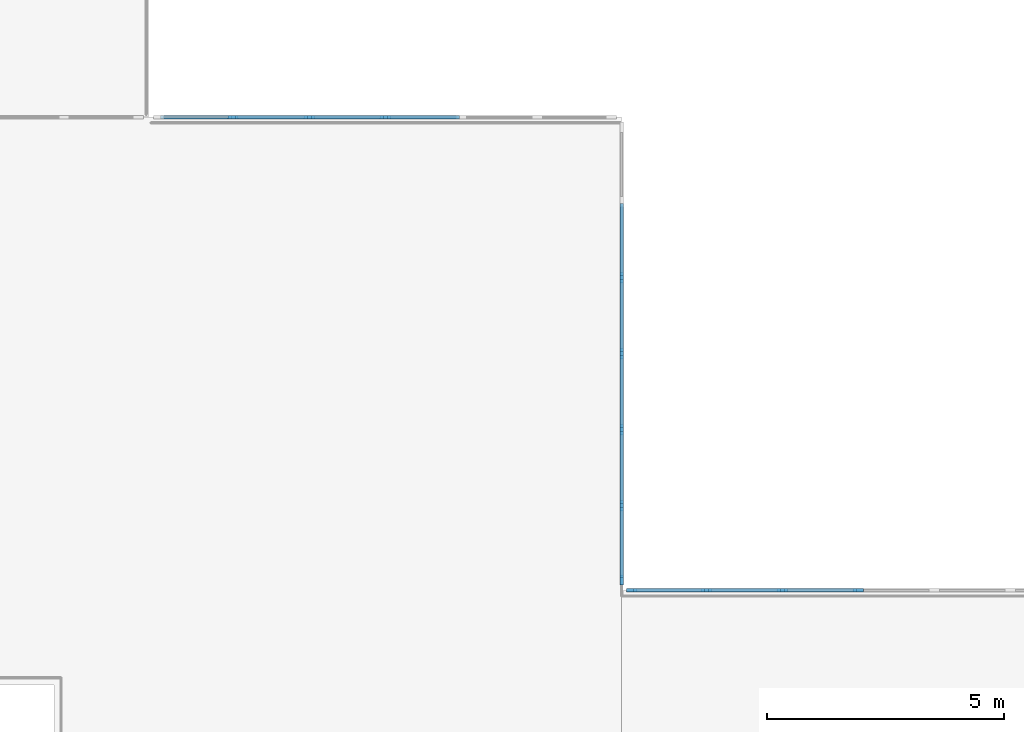
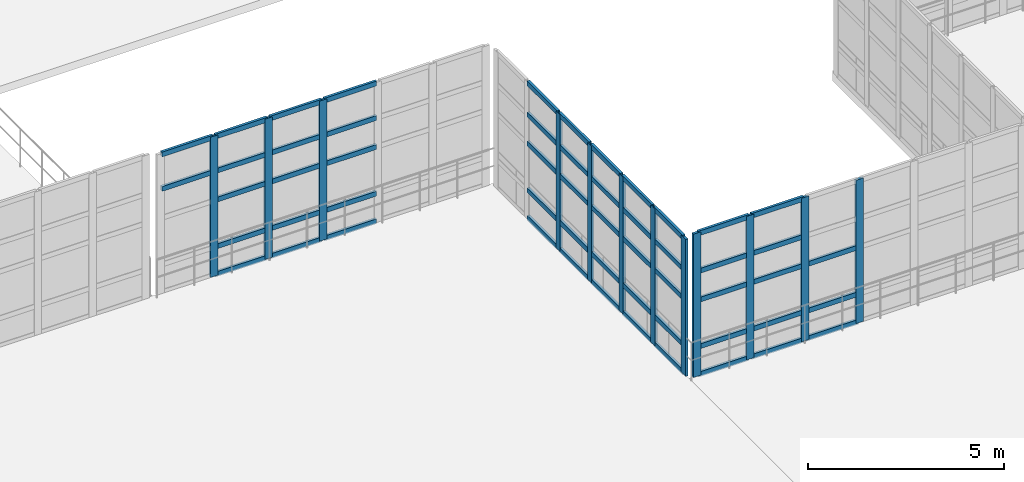
# One storey, part 54 of 139: 67 members, 3 elements without a shape of their own.
"""IFC4 building model written with IfcOpenShell, lengths in metres."""

from ifc_helpers import new_model, si_unit, direction, frame, origin, origin_2d, place, context, subcontext, project, spatial, rectangle, extrude, material, layer, layer_set, material_profile, profile_set, type_object, element, aggregate, save


model = new_model("IFC4")

# Units and contexts
model_context = context("Model", 3, precision=1e-05, world=origin(), true_north=direction((0.0, 1.0)))
body_context = subcontext(model_context, "Body", "Model", "MODEL_VIEW")
ifc_project = project(units=[si_unit("LENGTHUNIT", "METRE"), si_unit("AREAUNIT", "SQUARE_METRE"), si_unit("VOLUMEUNIT", "CUBIC_METRE"), si_unit("PLANEANGLEUNIT", "RADIAN"), si_unit("MASSUNIT", "GRAM", prefix="KILO"), si_unit("THERMODYNAMICTEMPERATUREUNIT", "KELVIN"), si_unit("POWERUNIT", "WATT")], contexts=[model_context])

# Site, building, storey
site_placement = place(None, origin())
site = spatial("IfcSite", under=ifc_project, at=site_placement, CompositionType="ELEMENT")
building_placement = place(site_placement, origin())
building = spatial("IfcBuilding", under=site, at=building_placement, Name="Korenveer Ferry Terminal", CompositionType="ELEMENT")
storey_placement = place(building_placement, frame((0.0, 0.0, 5.39990234375)))
storey = spatial("IfcBuildingStorey", under=building, at=storey_placement, Name="L01", CompositionType="ELEMENT", Elevation=5.39990234375)

# Curtain wall, members
ifc_material_1 = material(Name="Unitised bronze-and-glass curtain wall", Category="glass")
ifc_layer_1 = layer(ifc_material_1, 0.219970703125)
ifc_layer_set_1 = layer_set([ifc_layer_1], Name="Unitised bronze-and-glass curtain wall")
curtain_wall_type_1 = type_object("IfcCurtainWallType", Name="ENV-CW-52", PredefinedType="USERDEFINED", material=ifc_layer_set_1)
curtain_wall_1_placement = place(storey_placement, frame((83.179931640625, 80.0, 0.0)))
curtain_wall_1 = element("IfcCurtainWall", 1, at=curtain_wall_1_placement, inside=storey, type_object=curtain_wall_type_1, Name="Lancet curtain wall CWX-L01-X83-93-Y80-80", ObjectType="UNITISED CURTAIN WALL", PredefinedType="USERDEFINED")
ifc_material_2 = material(Name="Anodised bronze aluminium", Category="aluminium")
ifc_material_profile_1 = material_profile(ifc_material_2, rectangle(XDim=0.074951171875, YDim=0.219970703125, at=origin_2d()), Name="ALU 75x220")
ifc_profile_set_1 = profile_set([ifc_material_profile_1], Name="Anodised bronze aluminium")
member_type_1 = type_object("IfcMemberType", Name="ENV-CWM-75X220", PredefinedType="MULLION", material=ifc_profile_set_1)
member_1_placement = place(storey_placement, frame((83.217529296875, 80.0, 0.0), z_axis=(0.0, 0.0, 1.0), x_axis=(0.0, 1.0, 0.0)))
member_1 = element("IfcMember", 2, at=member_1_placement, type_object=member_type_1, Name="CW-52 mullion 1", PredefinedType="MULLION", context=body_context, shape_type="SweptSolid", body=[
    extrude(rectangle(XDim=0.074951171875, YDim=0.219970703125, at=origin_2d()), origin(), (0.0, 0.0, 1.0), 4.460205078125),
])
member_2_placement = place(storey_placement, frame((84.78662109375, 80.0, 0.0), z_axis=(0.0, 0.0, 1.0), x_axis=(0.0, 1.0, 0.0)))
member_2 = element("IfcMember", 3, at=member_2_placement, type_object=member_type_1, Name="CW-52 mullion 2", PredefinedType="MULLION", context=body_context, shape_type="SweptSolid", body=[
    extrude(rectangle(XDim=0.074951171875, YDim=0.219970703125, at=origin_2d()), origin(), (0.0, 0.0, 1.0), 4.460205078125),
])
member_3_placement = place(storey_placement, frame((86.393310546875, 80.0, 0.0), z_axis=(0.0, 0.0, 1.0), x_axis=(0.0, 1.0, 0.0)))
member_3 = element("IfcMember", 4, at=member_3_placement, type_object=member_type_1, Name="CW-52 mullion 3", PredefinedType="MULLION", context=body_context, shape_type="SweptSolid", body=[
    extrude(rectangle(XDim=0.074951171875, YDim=0.219970703125, at=origin_2d()), origin(), (0.0, 0.0, 1.0), 4.460205078125),
])
member_4_placement = place(storey_placement, frame((88.0, 80.0, 0.0), z_axis=(0.0, 0.0, 1.0), x_axis=(0.0, 1.0, 0.0)))
member_4 = element("IfcMember", 5, at=member_4_placement, type_object=member_type_1, Name="CW-52 mullion 4", PredefinedType="MULLION", context=body_context, shape_type="SweptSolid", body=[
    extrude(rectangle(XDim=0.074951171875, YDim=0.219970703125, at=origin_2d()), origin(), (0.0, 0.0, 1.0), 4.460205078125),
])

ifc_layer_2 = layer(ifc_material_1, 0.219970703125)
ifc_layer_set_2 = layer_set([ifc_layer_2], Name="Unitised bronze-and-glass curtain wall")
curtain_wall_type_2 = type_object("IfcCurtainWallType", Name="ENV-CW-54", PredefinedType="USERDEFINED", material=ifc_layer_set_2)
curtain_wall_2_placement = place(storey_placement, frame((73.179931640625, 90.0, 0.0)))
curtain_wall_2 = element("IfcCurtainWall", 6, at=curtain_wall_2_placement, inside=storey, type_object=curtain_wall_type_2, Name="Lancet curtain wall CWX-L01-X73-83-Y90-90", ObjectType="UNITISED CURTAIN WALL", PredefinedType="USERDEFINED")
member_5_placement = place(storey_placement, frame((74.78662109375, 90.0, 0.0), z_axis=(0.0, 0.0, 1.0), x_axis=(0.0, 1.0, 0.0)))
member_5 = element("IfcMember", 7, at=member_5_placement, type_object=member_type_1, Name="CW-54 mullion 2", PredefinedType="MULLION", context=body_context, shape_type="SweptSolid", body=[
    extrude(rectangle(XDim=0.074951171875, YDim=0.219970703125, at=origin_2d()), origin(), (0.0, 0.0, 1.0), 4.360107421875),
])
member_6_placement = place(storey_placement, frame((76.393310546875, 90.0, 0.0), z_axis=(0.0, 0.0, 1.0), x_axis=(0.0, 1.0, 0.0)))
member_6 = element("IfcMember", 8, at=member_6_placement, type_object=member_type_1, Name="CW-54 mullion 3", PredefinedType="MULLION", context=body_context, shape_type="SweptSolid", body=[
    extrude(rectangle(XDim=0.074951171875, YDim=0.219970703125, at=origin_2d()), origin(), (0.0, 0.0, 1.0), 4.360107421875),
])
member_7_placement = place(storey_placement, frame((78.0, 90.0, 0.0), z_axis=(0.0, 0.0, 1.0), x_axis=(0.0, 1.0, 0.0)))
member_7 = element("IfcMember", 9, at=member_7_placement, type_object=member_type_1, Name="CW-54 mullion 4", PredefinedType="MULLION", context=body_context, shape_type="SweptSolid", body=[
    extrude(rectangle(XDim=0.074951171875, YDim=0.219970703125, at=origin_2d()), origin(), (0.0, 0.0, 1.0), 4.360107421875),
])

ifc_layer_3 = layer(ifc_material_1, 0.219970703125)
ifc_layer_set_3 = layer_set([ifc_layer_3], Name="Unitised bronze-and-glass curtain wall")
curtain_wall_type_3 = type_object("IfcCurtainWallType", Name="ENV-CW-55", PredefinedType="USERDEFINED", material=ifc_layer_set_3)
curtain_wall_3_placement = place(storey_placement, frame((83.0, 89.820068359375, 0.0)))
curtain_wall_3 = element("IfcCurtainWall", 10, at=curtain_wall_3_placement, inside=storey, type_object=curtain_wall_type_3, Name="Lancet curtain wall CWX-L01-X83-83-Y80-90", ObjectType="UNITISED CURTAIN WALL", PredefinedType="USERDEFINED")
member_8_placement = place(storey_placement, frame((83.0, 86.606689453125, 0.0), z_axis=(0.0, 0.0, 1.0), x_axis=(1.0, 0.0, 0.0)))
member_8 = element("IfcMember", 11, at=member_8_placement, type_object=member_type_1, Name="CW-55 mullion 3", PredefinedType="MULLION", context=body_context, shape_type="SweptSolid", body=[
    extrude(rectangle(XDim=0.074951171875, YDim=0.219970703125, at=origin_2d()), origin(), (0.0, 0.0, 1.0), 4.260009765625),
])
member_9_placement = place(storey_placement, frame((83.0, 85.0, 0.0), z_axis=(0.0, 0.0, 1.0), x_axis=(1.0, 0.0, 0.0)))
member_9 = element("IfcMember", 12, at=member_9_placement, type_object=member_type_1, Name="CW-55 mullion 4", PredefinedType="MULLION", context=body_context, shape_type="SweptSolid", body=[
    extrude(rectangle(XDim=0.074951171875, YDim=0.219970703125, at=origin_2d()), origin(), (0.0, 0.0, 1.0), 4.260009765625),
])
member_10_placement = place(storey_placement, frame((83.0, 83.393310546875, 0.0), z_axis=(0.0, 0.0, 1.0), x_axis=(1.0, 0.0, 0.0)))
member_10 = element("IfcMember", 13, at=member_10_placement, type_object=member_type_1, Name="CW-55 mullion 5", PredefinedType="MULLION", context=body_context, shape_type="SweptSolid", body=[
    extrude(rectangle(XDim=0.074951171875, YDim=0.219970703125, at=origin_2d()), origin(), (0.0, 0.0, 1.0), 4.260009765625),
])
member_11_placement = place(storey_placement, frame((83.0, 81.78662109375, 0.0), z_axis=(0.0, 0.0, 1.0), x_axis=(1.0, 0.0, 0.0)))
member_11 = element("IfcMember", 14, at=member_11_placement, type_object=member_type_1, Name="CW-55 mullion 6", PredefinedType="MULLION", context=body_context, shape_type="SweptSolid", body=[
    extrude(rectangle(XDim=0.074951171875, YDim=0.219970703125, at=origin_2d()), origin(), (0.0, 0.0, 1.0), 4.260009765625),
])
member_12_placement = place(storey_placement, frame((83.0, 80.217529296875, 0.0), z_axis=(0.0, 0.0, 1.0), x_axis=(1.0, 0.0, 0.0)))
member_12 = element("IfcMember", 15, at=member_12_placement, type_object=member_type_1, Name="CW-55 mullion 7", PredefinedType="MULLION", context=body_context, shape_type="SweptSolid", body=[
    extrude(rectangle(XDim=0.074951171875, YDim=0.219970703125, at=origin_2d()), origin(), (0.0, 0.0, 1.0), 4.260009765625),
])

# Member
ifc_material_profile_2 = material_profile(ifc_material_2, rectangle(XDim=0.074951171875, YDim=0.14990234375, at=origin_2d()), Name="ALU 75x150")
ifc_profile_set_2 = profile_set([ifc_material_profile_2], Name="Anodised bronze aluminium")
member_type_2 = type_object("IfcMemberType", Name="ENV-CWT-75X150", PredefinedType="USERDEFINED", material=ifc_profile_set_2)
member_13_placement = place(storey_placement, frame((83.2548828125, 80.0, 0.03759765625), z_axis=(1.0, 0.0, 0.0), x_axis=(0.0, 1.0, 0.0)))
member_13 = element("IfcMember", 16, at=member_13_placement, type_object=member_type_2, Name="CW-52 transom 1.1", ObjectType="TRANSOM", PredefinedType="USERDEFINED", context=body_context, shape_type="SweptSolid", body=[
    extrude(rectangle(XDim=0.074951171875, YDim=0.14990234375, at=origin_2d()), origin(), (0.0, 0.0, 1.0), 1.494384765625),
])

member_14_placement = place(storey_placement, frame((83.2548828125, 80.0, 0.900146484375), z_axis=(1.0, 0.0, 0.0), x_axis=(0.0, 1.0, 0.0)))
member_14 = element("IfcMember", 17, at=member_14_placement, type_object=member_type_2, Name="CW-52 transom 1.2", ObjectType="TRANSOM", PredefinedType="USERDEFINED", context=body_context, shape_type="SweptSolid", body=[
    extrude(rectangle(XDim=0.074951171875, YDim=0.14990234375, at=origin_2d()), origin(), (0.0, 0.0, 1.0), 1.494384765625),
])

member_15_placement = place(storey_placement, frame((83.2548828125, 80.0, 2.35009765625), z_axis=(1.0, 0.0, 0.0), x_axis=(0.0, 1.0, 0.0)))
member_15 = element("IfcMember", 18, at=member_15_placement, type_object=member_type_2, Name="CW-52 transom 1.3", ObjectType="TRANSOM", PredefinedType="USERDEFINED", context=body_context, shape_type="SweptSolid", body=[
    extrude(rectangle(XDim=0.074951171875, YDim=0.14990234375, at=origin_2d()), origin(), (0.0, 0.0, 1.0), 1.494384765625),
])

member_16_placement = place(storey_placement, frame((83.2548828125, 80.0, 3.25), z_axis=(1.0, 0.0, 0.0), x_axis=(0.0, 1.0, 0.0)))
member_16 = element("IfcMember", 19, at=member_16_placement, type_object=member_type_2, Name="CW-52 transom 1.4", ObjectType="TRANSOM", PredefinedType="USERDEFINED", context=body_context, shape_type="SweptSolid", body=[
    extrude(rectangle(XDim=0.074951171875, YDim=0.14990234375, at=origin_2d()), origin(), (0.0, 0.0, 1.0), 1.494384765625),
])

member_17_placement = place(storey_placement, frame((83.2548828125, 80.0, 4.422607421875), z_axis=(1.0, 0.0, 0.0), x_axis=(0.0, 1.0, 0.0)))
member_17 = element("IfcMember", 20, at=member_17_placement, type_object=member_type_2, Name="CW-52 transom 1.5", ObjectType="TRANSOM", PredefinedType="USERDEFINED", context=body_context, shape_type="SweptSolid", body=[
    extrude(rectangle(XDim=0.074951171875, YDim=0.14990234375, at=origin_2d()), origin(), (0.0, 0.0, 1.0), 1.494384765625),
])

member_18_placement = place(storey_placement, frame((84.82421875, 80.0, 0.03759765625), z_axis=(1.0, 0.0, 0.0), x_axis=(0.0, 1.0, 0.0)))
member_18 = element("IfcMember", 21, at=member_18_placement, type_object=member_type_2, Name="CW-52 transom 2.1", ObjectType="TRANSOM", PredefinedType="USERDEFINED", context=body_context, shape_type="SweptSolid", body=[
    extrude(rectangle(XDim=0.074951171875, YDim=0.14990234375, at=origin_2d()), origin(), (0.0, 0.0, 1.0), 1.531494140625),
])

member_19_placement = place(storey_placement, frame((84.82421875, 80.0, 0.900146484375), z_axis=(1.0, 0.0, 0.0), x_axis=(0.0, 1.0, 0.0)))
member_19 = element("IfcMember", 22, at=member_19_placement, type_object=member_type_2, Name="CW-52 transom 2.2", ObjectType="TRANSOM", PredefinedType="USERDEFINED", context=body_context, shape_type="SweptSolid", body=[
    extrude(rectangle(XDim=0.074951171875, YDim=0.14990234375, at=origin_2d()), origin(), (0.0, 0.0, 1.0), 1.531494140625),
])

member_20_placement = place(storey_placement, frame((84.82421875, 80.0, 2.35009765625), z_axis=(1.0, 0.0, 0.0), x_axis=(0.0, 1.0, 0.0)))
member_20 = element("IfcMember", 23, at=member_20_placement, type_object=member_type_2, Name="CW-52 transom 2.3", ObjectType="TRANSOM", PredefinedType="USERDEFINED", context=body_context, shape_type="SweptSolid", body=[
    extrude(rectangle(XDim=0.074951171875, YDim=0.14990234375, at=origin_2d()), origin(), (0.0, 0.0, 1.0), 1.531494140625),
])

member_21_placement = place(storey_placement, frame((84.82421875, 80.0, 3.25), z_axis=(1.0, 0.0, 0.0), x_axis=(0.0, 1.0, 0.0)))
member_21 = element("IfcMember", 24, at=member_21_placement, type_object=member_type_2, Name="CW-52 transom 2.4", ObjectType="TRANSOM", PredefinedType="USERDEFINED", context=body_context, shape_type="SweptSolid", body=[
    extrude(rectangle(XDim=0.074951171875, YDim=0.14990234375, at=origin_2d()), origin(), (0.0, 0.0, 1.0), 1.531494140625),
])

member_22_placement = place(storey_placement, frame((84.82421875, 80.0, 4.422607421875), z_axis=(1.0, 0.0, 0.0), x_axis=(0.0, 1.0, 0.0)))
member_22 = element("IfcMember", 25, at=member_22_placement, type_object=member_type_2, Name="CW-52 transom 2.5", ObjectType="TRANSOM", PredefinedType="USERDEFINED", context=body_context, shape_type="SweptSolid", body=[
    extrude(rectangle(XDim=0.074951171875, YDim=0.14990234375, at=origin_2d()), origin(), (0.0, 0.0, 1.0), 1.531494140625),
])

member_23_placement = place(storey_placement, frame((86.430908203125, 80.0, 0.03759765625), z_axis=(1.0, 0.0, 0.0), x_axis=(0.0, 1.0, 0.0)))
member_23 = element("IfcMember", 26, at=member_23_placement, type_object=member_type_2, Name="CW-52 transom 3.1", ObjectType="TRANSOM", PredefinedType="USERDEFINED", context=body_context, shape_type="SweptSolid", body=[
    extrude(rectangle(XDim=0.074951171875, YDim=0.14990234375, at=origin_2d()), origin(), (0.0, 0.0, 1.0), 1.531494140625),
])

member_24_placement = place(storey_placement, frame((86.430908203125, 80.0, 0.900146484375), z_axis=(1.0, 0.0, 0.0), x_axis=(0.0, 1.0, 0.0)))
member_24 = element("IfcMember", 27, at=member_24_placement, type_object=member_type_2, Name="CW-52 transom 3.2", ObjectType="TRANSOM", PredefinedType="USERDEFINED", context=body_context, shape_type="SweptSolid", body=[
    extrude(rectangle(XDim=0.074951171875, YDim=0.14990234375, at=origin_2d()), origin(), (0.0, 0.0, 1.0), 1.531494140625),
])

member_25_placement = place(storey_placement, frame((86.430908203125, 80.0, 2.35009765625), z_axis=(1.0, 0.0, 0.0), x_axis=(0.0, 1.0, 0.0)))
member_25 = element("IfcMember", 28, at=member_25_placement, type_object=member_type_2, Name="CW-52 transom 3.3", ObjectType="TRANSOM", PredefinedType="USERDEFINED", context=body_context, shape_type="SweptSolid", body=[
    extrude(rectangle(XDim=0.074951171875, YDim=0.14990234375, at=origin_2d()), origin(), (0.0, 0.0, 1.0), 1.531494140625),
])

aggregate(curtain_wall_1, [member_1, member_2, member_3, member_4, member_13, member_14, member_15, member_16, member_17, member_18, member_19, member_20, member_21, member_22, member_23, member_24, member_25])

member_26_placement = place(storey_placement, frame((73.2548828125, 90.0, 3.25), z_axis=(1.0, 0.0, 0.0), x_axis=(0.0, 1.0, 0.0)))
member_26 = element("IfcMember", 29, at=member_26_placement, type_object=member_type_2, Name="CW-54 transom 1.4", ObjectType="TRANSOM", PredefinedType="USERDEFINED", context=body_context, shape_type="SweptSolid", body=[
    extrude(rectangle(XDim=0.074951171875, YDim=0.14990234375, at=origin_2d()), origin(), (0.0, 0.0, 1.0), 1.494384765625),
])

member_27_placement = place(storey_placement, frame((73.2548828125, 90.0, 4.322509765625), z_axis=(1.0, 0.0, 0.0), x_axis=(0.0, 1.0, 0.0)))
member_27 = element("IfcMember", 30, at=member_27_placement, type_object=member_type_2, Name="CW-54 transom 1.5", ObjectType="TRANSOM", PredefinedType="USERDEFINED", context=body_context, shape_type="SweptSolid", body=[
    extrude(rectangle(XDim=0.074951171875, YDim=0.14990234375, at=origin_2d()), origin(), (0.0, 0.0, 1.0), 1.494384765625),
])

member_28_placement = place(storey_placement, frame((74.82421875, 90.0, 0.03759765625), z_axis=(1.0, 0.0, 0.0), x_axis=(0.0, 1.0, 0.0)))
member_28 = element("IfcMember", 31, at=member_28_placement, type_object=member_type_2, Name="CW-54 transom 2.1", ObjectType="TRANSOM", PredefinedType="USERDEFINED", context=body_context, shape_type="SweptSolid", body=[
    extrude(rectangle(XDim=0.074951171875, YDim=0.14990234375, at=origin_2d()), origin(), (0.0, 0.0, 1.0), 1.531494140625),
])

member_29_placement = place(storey_placement, frame((74.82421875, 90.0, 0.900146484375), z_axis=(1.0, 0.0, 0.0), x_axis=(0.0, 1.0, 0.0)))
member_29 = element("IfcMember", 32, at=member_29_placement, type_object=member_type_2, Name="CW-54 transom 2.2", ObjectType="TRANSOM", PredefinedType="USERDEFINED", context=body_context, shape_type="SweptSolid", body=[
    extrude(rectangle(XDim=0.074951171875, YDim=0.14990234375, at=origin_2d()), origin(), (0.0, 0.0, 1.0), 1.531494140625),
])

member_30_placement = place(storey_placement, frame((74.82421875, 90.0, 2.35009765625), z_axis=(1.0, 0.0, 0.0), x_axis=(0.0, 1.0, 0.0)))
member_30 = element("IfcMember", 33, at=member_30_placement, type_object=member_type_2, Name="CW-54 transom 2.3", ObjectType="TRANSOM", PredefinedType="USERDEFINED", context=body_context, shape_type="SweptSolid", body=[
    extrude(rectangle(XDim=0.074951171875, YDim=0.14990234375, at=origin_2d()), origin(), (0.0, 0.0, 1.0), 1.531494140625),
])

member_31_placement = place(storey_placement, frame((74.82421875, 90.0, 3.25), z_axis=(1.0, 0.0, 0.0), x_axis=(0.0, 1.0, 0.0)))
member_31 = element("IfcMember", 34, at=member_31_placement, type_object=member_type_2, Name="CW-54 transom 2.4", ObjectType="TRANSOM", PredefinedType="USERDEFINED", context=body_context, shape_type="SweptSolid", body=[
    extrude(rectangle(XDim=0.074951171875, YDim=0.14990234375, at=origin_2d()), origin(), (0.0, 0.0, 1.0), 1.531494140625),
])

member_32_placement = place(storey_placement, frame((74.82421875, 90.0, 4.322509765625), z_axis=(1.0, 0.0, 0.0), x_axis=(0.0, 1.0, 0.0)))
member_32 = element("IfcMember", 35, at=member_32_placement, type_object=member_type_2, Name="CW-54 transom 2.5", ObjectType="TRANSOM", PredefinedType="USERDEFINED", context=body_context, shape_type="SweptSolid", body=[
    extrude(rectangle(XDim=0.074951171875, YDim=0.14990234375, at=origin_2d()), origin(), (0.0, 0.0, 1.0), 1.531494140625),
])

member_33_placement = place(storey_placement, frame((76.430908203125, 90.0, 0.03759765625), z_axis=(1.0, 0.0, 0.0), x_axis=(0.0, 1.0, 0.0)))
member_33 = element("IfcMember", 36, at=member_33_placement, type_object=member_type_2, Name="CW-54 transom 3.1", ObjectType="TRANSOM", PredefinedType="USERDEFINED", context=body_context, shape_type="SweptSolid", body=[
    extrude(rectangle(XDim=0.074951171875, YDim=0.14990234375, at=origin_2d()), origin(), (0.0, 0.0, 1.0), 1.531494140625),
])

member_34_placement = place(storey_placement, frame((76.430908203125, 90.0, 0.900146484375), z_axis=(1.0, 0.0, 0.0), x_axis=(0.0, 1.0, 0.0)))
member_34 = element("IfcMember", 37, at=member_34_placement, type_object=member_type_2, Name="CW-54 transom 3.2", ObjectType="TRANSOM", PredefinedType="USERDEFINED", context=body_context, shape_type="SweptSolid", body=[
    extrude(rectangle(XDim=0.074951171875, YDim=0.14990234375, at=origin_2d()), origin(), (0.0, 0.0, 1.0), 1.531494140625),
])

member_35_placement = place(storey_placement, frame((76.430908203125, 90.0, 2.35009765625), z_axis=(1.0, 0.0, 0.0), x_axis=(0.0, 1.0, 0.0)))
member_35 = element("IfcMember", 38, at=member_35_placement, type_object=member_type_2, Name="CW-54 transom 3.3", ObjectType="TRANSOM", PredefinedType="USERDEFINED", context=body_context, shape_type="SweptSolid", body=[
    extrude(rectangle(XDim=0.074951171875, YDim=0.14990234375, at=origin_2d()), origin(), (0.0, 0.0, 1.0), 1.531494140625),
])

member_36_placement = place(storey_placement, frame((76.430908203125, 90.0, 3.25), z_axis=(1.0, 0.0, 0.0), x_axis=(0.0, 1.0, 0.0)))
member_36 = element("IfcMember", 39, at=member_36_placement, type_object=member_type_2, Name="CW-54 transom 3.4", ObjectType="TRANSOM", PredefinedType="USERDEFINED", context=body_context, shape_type="SweptSolid", body=[
    extrude(rectangle(XDim=0.074951171875, YDim=0.14990234375, at=origin_2d()), origin(), (0.0, 0.0, 1.0), 1.531494140625),
])

member_37_placement = place(storey_placement, frame((76.430908203125, 90.0, 4.322509765625), z_axis=(1.0, 0.0, 0.0), x_axis=(0.0, 1.0, 0.0)))
member_37 = element("IfcMember", 40, at=member_37_placement, type_object=member_type_2, Name="CW-54 transom 3.5", ObjectType="TRANSOM", PredefinedType="USERDEFINED", context=body_context, shape_type="SweptSolid", body=[
    extrude(rectangle(XDim=0.074951171875, YDim=0.14990234375, at=origin_2d()), origin(), (0.0, 0.0, 1.0), 1.531494140625),
])

member_38_placement = place(storey_placement, frame((78.03759765625, 90.0, 0.03759765625), z_axis=(1.0, 0.0, 0.0), x_axis=(0.0, 1.0, 0.0)))
member_38 = element("IfcMember", 41, at=member_38_placement, type_object=member_type_2, Name="CW-54 transom 4.1", ObjectType="TRANSOM", PredefinedType="USERDEFINED", context=body_context, shape_type="SweptSolid", body=[
    extrude(rectangle(XDim=0.074951171875, YDim=0.14990234375, at=origin_2d()), origin(), (0.0, 0.0, 1.0), 1.531494140625),
])

member_39_placement = place(storey_placement, frame((78.03759765625, 90.0, 0.900146484375), z_axis=(1.0, 0.0, 0.0), x_axis=(0.0, 1.0, 0.0)))
member_39 = element("IfcMember", 42, at=member_39_placement, type_object=member_type_2, Name="CW-54 transom 4.2", ObjectType="TRANSOM", PredefinedType="USERDEFINED", context=body_context, shape_type="SweptSolid", body=[
    extrude(rectangle(XDim=0.074951171875, YDim=0.14990234375, at=origin_2d()), origin(), (0.0, 0.0, 1.0), 1.531494140625),
])

member_40_placement = place(storey_placement, frame((78.03759765625, 90.0, 2.35009765625), z_axis=(1.0, 0.0, 0.0), x_axis=(0.0, 1.0, 0.0)))
member_40 = element("IfcMember", 43, at=member_40_placement, type_object=member_type_2, Name="CW-54 transom 4.3", ObjectType="TRANSOM", PredefinedType="USERDEFINED", context=body_context, shape_type="SweptSolid", body=[
    extrude(rectangle(XDim=0.074951171875, YDim=0.14990234375, at=origin_2d()), origin(), (0.0, 0.0, 1.0), 1.531494140625),
])

member_41_placement = place(storey_placement, frame((78.03759765625, 90.0, 3.25), z_axis=(1.0, 0.0, 0.0), x_axis=(0.0, 1.0, 0.0)))
member_41 = element("IfcMember", 44, at=member_41_placement, type_object=member_type_2, Name="CW-54 transom 4.4", ObjectType="TRANSOM", PredefinedType="USERDEFINED", context=body_context, shape_type="SweptSolid", body=[
    extrude(rectangle(XDim=0.074951171875, YDim=0.14990234375, at=origin_2d()), origin(), (0.0, 0.0, 1.0), 1.531494140625),
])

member_42_placement = place(storey_placement, frame((78.03759765625, 90.0, 4.322509765625), z_axis=(1.0, 0.0, 0.0), x_axis=(0.0, 1.0, 0.0)))
member_42 = element("IfcMember", 45, at=member_42_placement, type_object=member_type_2, Name="CW-54 transom 4.5", ObjectType="TRANSOM", PredefinedType="USERDEFINED", context=body_context, shape_type="SweptSolid", body=[
    extrude(rectangle(XDim=0.074951171875, YDim=0.14990234375, at=origin_2d()), origin(), (0.0, 0.0, 1.0), 1.531494140625),
])

aggregate(curtain_wall_2, [member_5, member_6, member_7, member_26, member_27, member_28, member_29, member_30, member_31, member_32, member_33, member_34, member_35, member_36, member_37, member_38, member_39, member_40, member_41, member_42])

member_43_placement = place(storey_placement, frame((83.0, 88.17578125, 0.03759765625), z_axis=(0.0, -1.0, 0.0), x_axis=(1.0, 0.0, 0.0)))
member_43 = element("IfcMember", 46, at=member_43_placement, type_object=member_type_2, Name="CW-55 transom 2.1", ObjectType="TRANSOM", PredefinedType="USERDEFINED", context=body_context, shape_type="SweptSolid", body=[
    extrude(rectangle(XDim=0.074951171875, YDim=0.14990234375, at=origin_2d()), origin(), (0.0, 0.0, 1.0), 1.531494140625),
])

member_44_placement = place(storey_placement, frame((83.0, 88.17578125, 0.900146484375), z_axis=(0.0, -1.0, 0.0), x_axis=(1.0, 0.0, 0.0)))
member_44 = element("IfcMember", 47, at=member_44_placement, type_object=member_type_2, Name="CW-55 transom 2.2", ObjectType="TRANSOM", PredefinedType="USERDEFINED", context=body_context, shape_type="SweptSolid", body=[
    extrude(rectangle(XDim=0.074951171875, YDim=0.14990234375, at=origin_2d()), origin(), (0.0, 0.0, 1.0), 1.531494140625),
])

member_45_placement = place(storey_placement, frame((83.0, 88.17578125, 2.35009765625), z_axis=(0.0, -1.0, 0.0), x_axis=(1.0, 0.0, 0.0)))
member_45 = element("IfcMember", 48, at=member_45_placement, type_object=member_type_2, Name="CW-55 transom 2.3", ObjectType="TRANSOM", PredefinedType="USERDEFINED", context=body_context, shape_type="SweptSolid", body=[
    extrude(rectangle(XDim=0.074951171875, YDim=0.14990234375, at=origin_2d()), origin(), (0.0, 0.0, 1.0), 1.531494140625),
])

member_46_placement = place(storey_placement, frame((83.0, 88.17578125, 3.25), z_axis=(0.0, -1.0, 0.0), x_axis=(1.0, 0.0, 0.0)))
member_46 = element("IfcMember", 49, at=member_46_placement, type_object=member_type_2, Name="CW-55 transom 2.4", ObjectType="TRANSOM", PredefinedType="USERDEFINED", context=body_context, shape_type="SweptSolid", body=[
    extrude(rectangle(XDim=0.074951171875, YDim=0.14990234375, at=origin_2d()), origin(), (0.0, 0.0, 1.0), 1.531494140625),
])

member_47_placement = place(storey_placement, frame((83.0, 88.17578125, 4.22265625), z_axis=(0.0, -1.0, 0.0), x_axis=(1.0, 0.0, 0.0)))
member_47 = element("IfcMember", 50, at=member_47_placement, type_object=member_type_2, Name="CW-55 transom 2.5", ObjectType="TRANSOM", PredefinedType="USERDEFINED", context=body_context, shape_type="SweptSolid", body=[
    extrude(rectangle(XDim=0.074951171875, YDim=0.14990234375, at=origin_2d()), origin(), (0.0, 0.0, 1.0), 1.531494140625),
])

member_48_placement = place(storey_placement, frame((83.0, 86.569091796875, 0.03759765625), z_axis=(0.0, -1.0, 0.0), x_axis=(1.0, 0.0, 0.0)))
member_48 = element("IfcMember", 51, at=member_48_placement, type_object=member_type_2, Name="CW-55 transom 3.1", ObjectType="TRANSOM", PredefinedType="USERDEFINED", context=body_context, shape_type="SweptSolid", body=[
    extrude(rectangle(XDim=0.074951171875, YDim=0.14990234375, at=origin_2d()), origin(), (0.0, 0.0, 1.0), 1.531494140625),
])

member_49_placement = place(storey_placement, frame((83.0, 86.569091796875, 0.900146484375), z_axis=(0.0, -1.0, 0.0), x_axis=(1.0, 0.0, 0.0)))
member_49 = element("IfcMember", 52, at=member_49_placement, type_object=member_type_2, Name="CW-55 transom 3.2", ObjectType="TRANSOM", PredefinedType="USERDEFINED", context=body_context, shape_type="SweptSolid", body=[
    extrude(rectangle(XDim=0.074951171875, YDim=0.14990234375, at=origin_2d()), origin(), (0.0, 0.0, 1.0), 1.531494140625),
])

member_50_placement = place(storey_placement, frame((83.0, 86.569091796875, 2.35009765625), z_axis=(0.0, -1.0, 0.0), x_axis=(1.0, 0.0, 0.0)))
member_50 = element("IfcMember", 53, at=member_50_placement, type_object=member_type_2, Name="CW-55 transom 3.3", ObjectType="TRANSOM", PredefinedType="USERDEFINED", context=body_context, shape_type="SweptSolid", body=[
    extrude(rectangle(XDim=0.074951171875, YDim=0.14990234375, at=origin_2d()), origin(), (0.0, 0.0, 1.0), 1.531494140625),
])

member_51_placement = place(storey_placement, frame((83.0, 86.569091796875, 3.25), z_axis=(0.0, -1.0, 0.0), x_axis=(1.0, 0.0, 0.0)))
member_51 = element("IfcMember", 54, at=member_51_placement, type_object=member_type_2, Name="CW-55 transom 3.4", ObjectType="TRANSOM", PredefinedType="USERDEFINED", context=body_context, shape_type="SweptSolid", body=[
    extrude(rectangle(XDim=0.074951171875, YDim=0.14990234375, at=origin_2d()), origin(), (0.0, 0.0, 1.0), 1.531494140625),
])

member_52_placement = place(storey_placement, frame((83.0, 86.569091796875, 4.22265625), z_axis=(0.0, -1.0, 0.0), x_axis=(1.0, 0.0, 0.0)))
member_52 = element("IfcMember", 55, at=member_52_placement, type_object=member_type_2, Name="CW-55 transom 3.5", ObjectType="TRANSOM", PredefinedType="USERDEFINED", context=body_context, shape_type="SweptSolid", body=[
    extrude(rectangle(XDim=0.074951171875, YDim=0.14990234375, at=origin_2d()), origin(), (0.0, 0.0, 1.0), 1.531494140625),
])

member_53_placement = place(storey_placement, frame((83.0, 84.96240234375, 0.03759765625), z_axis=(0.0, -1.0, 0.0), x_axis=(1.0, 0.0, 0.0)))
member_53 = element("IfcMember", 56, at=member_53_placement, type_object=member_type_2, Name="CW-55 transom 4.1", ObjectType="TRANSOM", PredefinedType="USERDEFINED", context=body_context, shape_type="SweptSolid", body=[
    extrude(rectangle(XDim=0.074951171875, YDim=0.14990234375, at=origin_2d()), origin(), (0.0, 0.0, 1.0), 1.531494140625),
])

member_54_placement = place(storey_placement, frame((83.0, 84.96240234375, 0.900146484375), z_axis=(0.0, -1.0, 0.0), x_axis=(1.0, 0.0, 0.0)))
member_54 = element("IfcMember", 57, at=member_54_placement, type_object=member_type_2, Name="CW-55 transom 4.2", ObjectType="TRANSOM", PredefinedType="USERDEFINED", context=body_context, shape_type="SweptSolid", body=[
    extrude(rectangle(XDim=0.074951171875, YDim=0.14990234375, at=origin_2d()), origin(), (0.0, 0.0, 1.0), 1.531494140625),
])

member_55_placement = place(storey_placement, frame((83.0, 84.96240234375, 2.35009765625), z_axis=(0.0, -1.0, 0.0), x_axis=(1.0, 0.0, 0.0)))
member_55 = element("IfcMember", 58, at=member_55_placement, type_object=member_type_2, Name="CW-55 transom 4.3", ObjectType="TRANSOM", PredefinedType="USERDEFINED", context=body_context, shape_type="SweptSolid", body=[
    extrude(rectangle(XDim=0.074951171875, YDim=0.14990234375, at=origin_2d()), origin(), (0.0, 0.0, 1.0), 1.531494140625),
])

member_56_placement = place(storey_placement, frame((83.0, 84.96240234375, 3.25), z_axis=(0.0, -1.0, 0.0), x_axis=(1.0, 0.0, 0.0)))
member_56 = element("IfcMember", 59, at=member_56_placement, type_object=member_type_2, Name="CW-55 transom 4.4", ObjectType="TRANSOM", PredefinedType="USERDEFINED", context=body_context, shape_type="SweptSolid", body=[
    extrude(rectangle(XDim=0.074951171875, YDim=0.14990234375, at=origin_2d()), origin(), (0.0, 0.0, 1.0), 1.531494140625),
])

member_57_placement = place(storey_placement, frame((83.0, 84.96240234375, 4.22265625), z_axis=(0.0, -1.0, 0.0), x_axis=(1.0, 0.0, 0.0)))
member_57 = element("IfcMember", 60, at=member_57_placement, type_object=member_type_2, Name="CW-55 transom 4.5", ObjectType="TRANSOM", PredefinedType="USERDEFINED", context=body_context, shape_type="SweptSolid", body=[
    extrude(rectangle(XDim=0.074951171875, YDim=0.14990234375, at=origin_2d()), origin(), (0.0, 0.0, 1.0), 1.531494140625),
])

member_58_placement = place(storey_placement, frame((83.0, 83.355712890625, 0.03759765625), z_axis=(0.0, -1.0, 0.0), x_axis=(1.0, 0.0, 0.0)))
member_58 = element("IfcMember", 61, at=member_58_placement, type_object=member_type_2, Name="CW-55 transom 5.1", ObjectType="TRANSOM", PredefinedType="USERDEFINED", context=body_context, shape_type="SweptSolid", body=[
    extrude(rectangle(XDim=0.074951171875, YDim=0.14990234375, at=origin_2d()), origin(), (0.0, 0.0, 1.0), 1.531494140625),
])

member_59_placement = place(storey_placement, frame((83.0, 83.355712890625, 0.900146484375), z_axis=(0.0, -1.0, 0.0), x_axis=(1.0, 0.0, 0.0)))
member_59 = element("IfcMember", 62, at=member_59_placement, type_object=member_type_2, Name="CW-55 transom 5.2", ObjectType="TRANSOM", PredefinedType="USERDEFINED", context=body_context, shape_type="SweptSolid", body=[
    extrude(rectangle(XDim=0.074951171875, YDim=0.14990234375, at=origin_2d()), origin(), (0.0, 0.0, 1.0), 1.531494140625),
])

member_60_placement = place(storey_placement, frame((83.0, 83.355712890625, 2.35009765625), z_axis=(0.0, -1.0, 0.0), x_axis=(1.0, 0.0, 0.0)))
member_60 = element("IfcMember", 63, at=member_60_placement, type_object=member_type_2, Name="CW-55 transom 5.3", ObjectType="TRANSOM", PredefinedType="USERDEFINED", context=body_context, shape_type="SweptSolid", body=[
    extrude(rectangle(XDim=0.074951171875, YDim=0.14990234375, at=origin_2d()), origin(), (0.0, 0.0, 1.0), 1.531494140625),
])

member_61_placement = place(storey_placement, frame((83.0, 83.355712890625, 3.25), z_axis=(0.0, -1.0, 0.0), x_axis=(1.0, 0.0, 0.0)))
member_61 = element("IfcMember", 64, at=member_61_placement, type_object=member_type_2, Name="CW-55 transom 5.4", ObjectType="TRANSOM", PredefinedType="USERDEFINED", context=body_context, shape_type="SweptSolid", body=[
    extrude(rectangle(XDim=0.074951171875, YDim=0.14990234375, at=origin_2d()), origin(), (0.0, 0.0, 1.0), 1.531494140625),
])

member_62_placement = place(storey_placement, frame((83.0, 83.355712890625, 4.22265625), z_axis=(0.0, -1.0, 0.0), x_axis=(1.0, 0.0, 0.0)))
member_62 = element("IfcMember", 65, at=member_62_placement, type_object=member_type_2, Name="CW-55 transom 5.5", ObjectType="TRANSOM", PredefinedType="USERDEFINED", context=body_context, shape_type="SweptSolid", body=[
    extrude(rectangle(XDim=0.074951171875, YDim=0.14990234375, at=origin_2d()), origin(), (0.0, 0.0, 1.0), 1.531494140625),
])

member_63_placement = place(storey_placement, frame((83.0, 81.749267578125, 0.03759765625), z_axis=(0.0, -1.0, 0.0), x_axis=(1.0, 0.0, 0.0)))
member_63 = element("IfcMember", 66, at=member_63_placement, type_object=member_type_2, Name="CW-55 transom 6.1", ObjectType="TRANSOM", PredefinedType="USERDEFINED", context=body_context, shape_type="SweptSolid", body=[
    extrude(rectangle(XDim=0.074951171875, YDim=0.14990234375, at=origin_2d()), origin(), (0.0, 0.0, 1.0), 1.494384765625),
])

member_64_placement = place(storey_placement, frame((83.0, 81.749267578125, 0.900146484375), z_axis=(0.0, -1.0, 0.0), x_axis=(1.0, 0.0, 0.0)))
member_64 = element("IfcMember", 67, at=member_64_placement, type_object=member_type_2, Name="CW-55 transom 6.2", ObjectType="TRANSOM", PredefinedType="USERDEFINED", context=body_context, shape_type="SweptSolid", body=[
    extrude(rectangle(XDim=0.074951171875, YDim=0.14990234375, at=origin_2d()), origin(), (0.0, 0.0, 1.0), 1.494384765625),
])

member_65_placement = place(storey_placement, frame((83.0, 81.749267578125, 2.35009765625), z_axis=(0.0, -1.0, 0.0), x_axis=(1.0, 0.0, 0.0)))
member_65 = element("IfcMember", 68, at=member_65_placement, type_object=member_type_2, Name="CW-55 transom 6.3", ObjectType="TRANSOM", PredefinedType="USERDEFINED", context=body_context, shape_type="SweptSolid", body=[
    extrude(rectangle(XDim=0.074951171875, YDim=0.14990234375, at=origin_2d()), origin(), (0.0, 0.0, 1.0), 1.494384765625),
])

member_66_placement = place(storey_placement, frame((83.0, 81.749267578125, 3.25), z_axis=(0.0, -1.0, 0.0), x_axis=(1.0, 0.0, 0.0)))
member_66 = element("IfcMember", 69, at=member_66_placement, type_object=member_type_2, Name="CW-55 transom 6.4", ObjectType="TRANSOM", PredefinedType="USERDEFINED", context=body_context, shape_type="SweptSolid", body=[
    extrude(rectangle(XDim=0.074951171875, YDim=0.14990234375, at=origin_2d()), origin(), (0.0, 0.0, 1.0), 1.494384765625),
])

member_67_placement = place(storey_placement, frame((83.0, 81.749267578125, 4.22265625), z_axis=(0.0, -1.0, 0.0), x_axis=(1.0, 0.0, 0.0)))
member_67 = element("IfcMember", 70, at=member_67_placement, type_object=member_type_2, Name="CW-55 transom 6.5", ObjectType="TRANSOM", PredefinedType="USERDEFINED", context=body_context, shape_type="SweptSolid", body=[
    extrude(rectangle(XDim=0.074951171875, YDim=0.14990234375, at=origin_2d()), origin(), (0.0, 0.0, 1.0), 1.494384765625),
])

aggregate(curtain_wall_3, [member_8, member_9, member_10, member_11, member_12, member_43, member_44, member_45, member_46, member_47, member_48, member_49, member_50, member_51, member_52, member_53, member_54, member_55, member_56, member_57, member_58, member_59, member_60, member_61, member_62, member_63, member_64, member_65, member_66, member_67])

save(model, "model.ifc")
